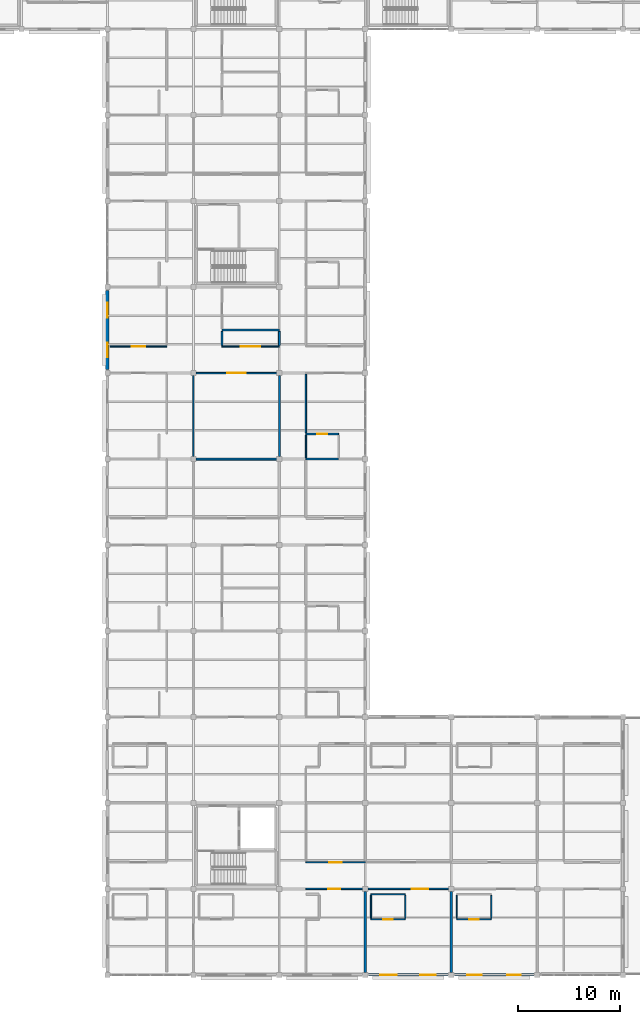
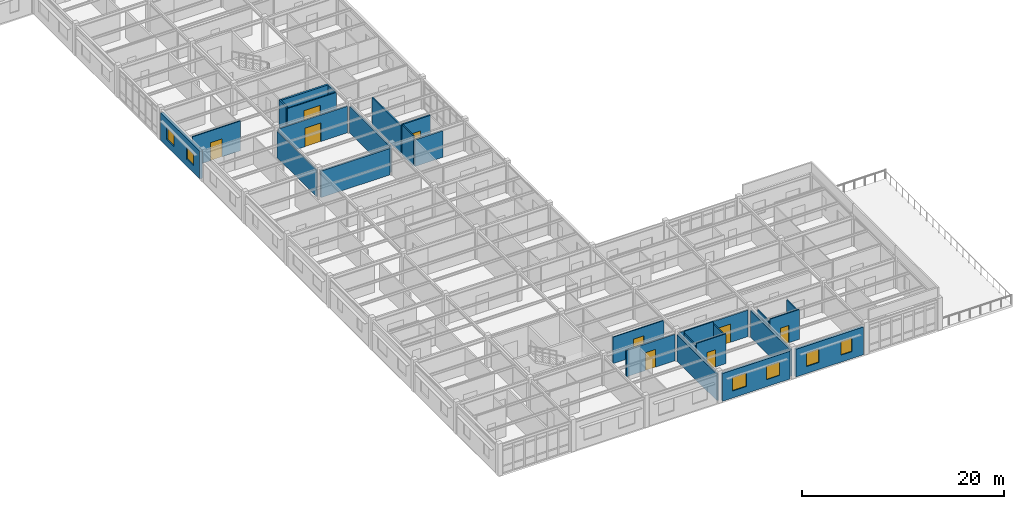
# One storey, part 35 of 53: 28 walls, 9 doors, 6 windows, 15 openings.
"""IFC4 building model written with IfcOpenShell, lengths in metres."""

import ifcopenshell
import ifcopenshell.guid

model = None  # the IFC model being written
_history = None  # IfcOwnerHistory: only IFC2X3 demands one
_inside = {}  # id of a spatial element -> (the spatial element, [elements in it])
_under = {}  # id of a project, library or spatial element -> (it, [spatial elements below it])
_declared = {}  # id of a project -> (the project, [libraries it declares])
_typed = {}  # id of a type object -> (the type object, [elements of that type])
_made_of = {}  # id of a material, layer set ... -> (it, [elements and type objects made of it])


def new_model(schema):
    """Start an empty IFC model of exactly this schema.

    Asked for "IFC4X3", IfcOpenShell would pick the latest addendum, in which some entities
    have other attributes; the version numbers below select the first issue.
    IFC2X3 requires an IfcOwnerHistory on every rooted entity: one is made here for all.
    """
    global model, _history
    if schema == "IFC4X3":
        model = ifcopenshell.file(schema_version=(4, 3, 0, 0))
    else:
        model = ifcopenshell.file(schema=schema)
    _inside.clear()
    _under.clear()
    _declared.clear()
    _typed.clear()
    _made_of.clear()
    _history = None
    if model.schema == "IFC2X3":
        org = make("IfcOrganization", Name="unknown")
        user = make(
            "IfcPersonAndOrganization",
            ThePerson=make("IfcPerson", FamilyName="unknown"),
            TheOrganization=org,
        )
        app = make(
            "IfcApplication",
            ApplicationDeveloper=org,
            Version="unknown",
            ApplicationFullName="unknown",
            ApplicationIdentifier="unknown",
        )
        _history = make(
            "IfcOwnerHistory",
            OwningUser=user,
            OwningApplication=app,
            ChangeAction="ADDED",
            CreationDate=0,
        )
    return model


def make(cls, **values):
    """One entity of the class cls with the attributes given. An attribute that is None is left unset."""
    return model.create_entity(
        cls, **{name: value for name, value in values.items() if value is not None}
    )


def rooted(cls, **values):
    """An entity with a GlobalId (a new one), such as an element, a storey or a relation."""
    return make(cls, GlobalId=ifcopenshell.guid.new(), OwnerHistory=_history, **values)


def si_unit(unit_type, name, prefix=None):
    """IfcSIUnit, for example si_unit("LENGTHUNIT", "METRE", prefix="MILLI")."""
    return make("IfcSIUnit", UnitType=unit_type, Prefix=prefix, Name=name)


def assignment(units):
    """IfcUnitAssignment: the units of a project."""
    return None if units is None else make("IfcUnitAssignment", Units=units)


def point(xyz):
    """IfcCartesianPoint."""
    return None if xyz is None else make("IfcCartesianPoint", Coordinates=xyz)


def direction(xyz):
    """IfcDirection."""
    return None if xyz is None else make("IfcDirection", DirectionRatios=xyz)


def frame(location, z_axis=None, x_axis=None):
    """IfcAxis2Placement3D, a coordinate frame: its origin and axes. An axis left out is left unset."""
    return make(
        "IfcAxis2Placement3D",
        Location=point(location),
        Axis=direction(z_axis),
        RefDirection=direction(x_axis),
    )


def frame_2d(location, x_axis=None):
    """IfcAxis2Placement2D, a coordinate frame in the plane: its origin and x axis."""
    return make(
        "IfcAxis2Placement2D", Location=point(location), RefDirection=direction(x_axis)
    )


def origin():
    """The frame at (0, 0, 0) with its axes left unset."""
    return frame((0.0, 0.0, 0.0))


def place(relative_to, where):
    """IfcLocalPlacement: puts the frame where relative to a parent placement (None: the world)."""
    return make(
        "IfcLocalPlacement", PlacementRelTo=relative_to, RelativePlacement=where
    )


def context(
    kind, dimensions, precision=None, world=None, true_north=None, identifier=None
):
    """IfcGeometricRepresentationContext, for example the 3D "Model" context."""
    return make(
        "IfcGeometricRepresentationContext",
        ContextIdentifier=identifier,
        ContextType=kind,
        CoordinateSpaceDimension=dimensions,
        Precision=precision,
        WorldCoordinateSystem=world,
        TrueNorth=true_north,
    )


def subcontext(parent, identifier, kind, view, scale=None):
    """IfcGeometricRepresentationSubContext, for example "Body" below "Model"."""
    return make(
        "IfcGeometricRepresentationSubContext",
        ContextIdentifier=identifier,
        ContextType=kind,
        ParentContext=parent,
        TargetScale=scale,
        TargetView=view,
    )


def project(units=None, contexts=None):
    """IfcProject with its units and contexts."""
    return rooted(
        "IfcProject",
        Name="project",
        RepresentationContexts=contexts,
        UnitsInContext=assignment(units),
    )


def spatial(cls, under=None, at=None, **own):
    """A site, building, storey or space (cls), placed at a placement, below another one or the project."""
    s = rooted(cls, ObjectPlacement=at, **own)
    if under is not None:
        _under.setdefault(under.id(), (under, []))[1].append(s)
    return s


def profile(cls, at=None, kind="AREA", **sizes):
    """A parametric profile (cls). Its sizes go by their IFC names, for example OverallWidth=200.0."""
    return make(cls, ProfileType=kind, Position=at, **sizes)


def rectangle(**sizes):
    """IfcRectangleProfileDef."""
    return profile("IfcRectangleProfileDef", **sizes)


def extrude(swept, where, along, depth):
    """IfcExtrudedAreaSolid: the profile swept, set in the frame where, extruded along a direction by depth."""
    return make(
        "IfcExtrudedAreaSolid",
        SweptArea=swept,
        Position=where,
        ExtrudedDirection=direction(along),
        Depth=depth,
    )


def shape(context_of_items, identifier, shape_type, items):
    """IfcShapeRepresentation: the items that make up one representation, for example the "Body"."""
    return make(
        "IfcShapeRepresentation",
        ContextOfItems=context_of_items,
        RepresentationIdentifier=identifier,
        RepresentationType=shape_type,
        Items=items,
    )


def material(Name=None, Category=None):
    """IfcMaterial."""
    return make("IfcMaterial", Name=Name, Category=Category)


def layer(
    of_material, thickness, ventilated=None, Name=None, Category=None, Priority=None
):
    """IfcMaterialLayer: one layer of a wall or slab, of a material (None: an air gap)."""
    return make(
        "IfcMaterialLayer",
        Material=of_material,
        LayerThickness=thickness,
        IsVentilated=ventilated,
        Name=Name,
        Category=Category,
        Priority=Priority,
    )


def layer_set(layers, Name=None):
    """IfcMaterialLayerSet."""
    return make("IfcMaterialLayerSet", MaterialLayers=layers, LayerSetName=Name)


def made_of(thing, what):
    """Note that an element or type object is made of a material, layer set ...; save() writes the relation."""
    if what is not None:
        _made_of.setdefault(what.id(), (what, []))[1].append(thing)
    return thing


def type_object(cls, material=None, **own):
    """A type object (cls), such as IfcWallType, which elements share."""
    return made_of(rooted(cls, **own), material)


def element(
    cls,
    number,
    at=None,
    inside=None,
    cuts=None,
    type_object=None,
    material=None,
    context=None,
    identifier="Body",
    shape_type=None,
    held_by="IfcProductDefinitionShape",
    body=None,
    shapes=None,
    **own,
):
    """One element of the class cls, such as IfcWall. Its Tag is "e" and its number.

    at: its placement. inside: the storey or other place that contains it. cuts: it is an
    opening in that element (IfcRelVoidsElement). A single representation is given by context,
    identifier, shape_type and body (its items); several are given by shapes. held_by: the class
    of the entity that holds the representations. save() writes the other relations.
    """
    e = rooted(cls, Tag="e%d" % number, ObjectPlacement=at, **own)
    if body is not None:
        shapes = [shape(context, identifier, shape_type, body)]
    if shapes is not None:
        e.Representation = make(held_by, Representations=shapes)
    if inside is not None:
        _inside.setdefault(inside.id(), (inside, []))[1].append(e)
    if cuts is not None:
        rooted(
            "IfcRelVoidsElement", RelatingBuildingElement=cuts, RelatedOpeningElement=e
        )
    if type_object is not None:
        _typed.setdefault(type_object.id(), (type_object, []))[1].append(e)
    return made_of(e, material)


def fill(opening, filler):
    """IfcRelFillsElement: the door or window that sits in an opening."""
    return rooted(
        "IfcRelFillsElement",
        RelatingOpeningElement=opening,
        RelatedBuildingElement=filler,
    )


def aggregate(whole, parts):
    """IfcRelAggregates: a whole, such as a stair, and the parts it consists of."""
    return rooted("IfcRelAggregates", RelatingObject=whole, RelatedObjects=parts)


def save(model, path):
    """Write the relations noted so far, then the file.

    IfcRelAggregates (storeys below a building ...), IfcRelContainedInSpatialStructure (elements
    in a storey), IfcRelDefinesByType, IfcRelAssociatesMaterial and IfcRelDeclares: one each for
    every whole, place, type object, material and project.
    """
    for whole, parts in _under.values():
        aggregate(whole, parts)
    for where, things in _inside.values():
        rooted(
            "IfcRelContainedInSpatialStructure",
            RelatedElements=things,
            RelatingStructure=where,
        )
    for kind, things in _typed.values():
        rooted("IfcRelDefinesByType", RelatedObjects=things, RelatingType=kind)
    for what, things in _made_of.values():
        rooted("IfcRelAssociatesMaterial", RelatedObjects=things, RelatingMaterial=what)
    for by, libraries in _declared.values():
        rooted("IfcRelDeclares", RelatingContext=by, RelatedDefinitions=libraries)
    model.write(path)


model = new_model("IFC4")

# Units and contexts
model_context = context("Model", 3, precision=1e-05, world=origin(), true_north=direction((0.0, 1.0)))
body_context = subcontext(model_context, "Body", "Model", "MODEL_VIEW")
ifc_project = project(units=[si_unit("LENGTHUNIT", "METRE"), si_unit("AREAUNIT", "SQUARE_METRE"), si_unit("VOLUMEUNIT", "CUBIC_METRE"), si_unit("PLANEANGLEUNIT", "RADIAN"), si_unit("MASSUNIT", "GRAM", prefix="KILO")], contexts=[model_context])

# Site, building, storey
site_placement = place(None, origin())
site = spatial("IfcSite", under=ifc_project, at=site_placement, CompositionType="ELEMENT")
building_placement = place(site_placement, origin())
building = spatial("IfcBuilding", under=site, at=building_placement, Name="Bramfleet General Hospital", CompositionType="ELEMENT")
storey_placement = place(building_placement, frame((0.0, 0.0, 26.39990234375)))
storey = spatial("IfcBuildingStorey", under=building, at=storey_placement, Name="L06", CompositionType="ELEMENT", Elevation=26.39990234375)

# Wall, openings, windows
ifc_material_1 = material(Name="Precast concrete C40/50", Category="concrete")
ifc_layer_1 = layer(ifc_material_1, 0.3349609375, Name="WT-EW-03")
ifc_layer_set_1 = layer_set([ifc_layer_1], Name="Precast concrete C40/50")
wall_type_1 = type_object("IfcWallType", Name="WT-EW-03", PredefinedType="SOLIDWALL", material=ifc_layer_set_1)
wall_1_placement = place(storey_placement, frame((92.39990234375, 59.125, 0.0), z_axis=(0.0, 0.0, 1.0), x_axis=(0.0, 1.0, 0.0)))
wall_1 = element("IfcWall", 1, at=wall_1_placement, inside=storey, type_object=wall_type_1, Name="L06 Exterior Wall 386", PredefinedType="SOLIDWALL", context=body_context, shape_type="SweptSolid", body=[
    extrude(rectangle(XDim=7.75, YDim=0.3349609375, at=frame_2d((3.875, 0.0))), origin(), (0.0, 0.0, 1.0), 3.340087890625),
])
opening_1_placement = place(wall_1_placement, frame((1.237548828125, 0.0, 0.85009765625)))
opening_1 = element("IfcOpeningElement", 2, at=opening_1_placement, cuts=wall_1, Name="Opening W-15", PredefinedType="OPENING", context=body_context, shape_type="SweptSolid", body=[
    extrude(rectangle(XDim=1.39990234375, YDim=1.419921875, at=frame_2d((0.699951171875, 0.7099609375))), frame((0.0, 0.177490234375, 0.0), z_axis=(0.0, -1.0, 0.0), x_axis=(1.0, 0.0, 0.0)), (0.0, 0.0, 1.0), 0.35498046875),
])
opening_2_placement = place(wall_1_placement, frame((5.0625, 0.0, 0.85009765625)))
opening_2 = element("IfcOpeningElement", 3, at=opening_2_placement, cuts=wall_1, Name="Opening W-16", PredefinedType="OPENING", context=body_context, shape_type="SweptSolid", body=[
    extrude(rectangle(XDim=1.5, YDim=1.419921875, at=frame_2d((0.75, 0.7099609375))), frame((0.0, 0.177490234375, 0.0), z_axis=(0.0, -1.0, 0.0), x_axis=(1.0, 0.0, 0.0)), (0.0, 0.0, 1.0), 0.35498046875),
])
ifc_material_2 = material(Name="Anodised aluminium and low-E triple glazing", Category="aluminium")
window_type_1 = type_object("IfcWindowType", Name="WIN-W-15", PartitioningType="SINGLE_PANEL", PredefinedType="WINDOW", material=ifc_material_2)
window_1_placement = place(opening_1_placement, origin())
window_1 = element("IfcWindow", 4, at=window_1_placement, inside=storey, type_object=window_type_1, Name="L06 Facade Window WIN-L06-386-1", OverallHeight=1.419921875, OverallWidth=1.39990234375, PartitioningType="SINGLE_PANEL", PredefinedType="WINDOW", context=body_context, shape_type="SweptSolid", body=[
    extrude(rectangle(XDim=1.39990234375, YDim=1.419921875, at=frame_2d((0.699951171875, 0.7099609375))), frame((0.0, 0.030029296875, 0.0), z_axis=(0.0, -1.0, 0.0), x_axis=(1.0, 0.0, 0.0)), (0.0, 0.0, 1.0), 0.06005859375),
])
fill(opening_1, window_1)
window_type_2 = type_object("IfcWindowType", Name="WIN-W-16", PartitioningType="SINGLE_PANEL", PredefinedType="WINDOW", material=ifc_material_2)
window_2_placement = place(opening_2_placement, origin())
window_2 = element("IfcWindow", 5, at=window_2_placement, inside=storey, type_object=window_type_2, Name="L06 Facade Window WIN-L06-386-2", OverallHeight=1.419921875, OverallWidth=1.5, PartitioningType="SINGLE_PANEL", PredefinedType="WINDOW", context=body_context, shape_type="SweptSolid", body=[
    extrude(rectangle(XDim=1.5, YDim=1.419921875, at=frame_2d((0.75, 0.7099609375))), frame((0.0, 0.030029296875, 0.0), z_axis=(0.0, -1.0, 0.0), x_axis=(1.0, 0.0, 0.0)), (0.0, 0.0, 1.0), 0.06005859375),
])
fill(opening_2, window_2)

ifc_layer_2 = layer(ifc_material_1, 0.25, Name="WT-EW-08")
ifc_layer_set_2 = layer_set([ifc_layer_2], Name="Precast concrete C40/50")
wall_type_2 = type_object("IfcWallType", Name="WT-EW-08", PredefinedType="SOLIDWALL", material=ifc_layer_set_2)
wall_2_placement = place(storey_placement, frame((134.074951171875, 0.0, 0.0), z_axis=(0.0, 0.0, 1.0), x_axis=(-1.0, 0.0, 0.0)))
wall_2 = element("IfcWall", 6, at=wall_2_placement, inside=storey, type_object=wall_type_2, Name="L06 Exterior Wall 419", PredefinedType="SOLIDWALL", context=body_context, shape_type="SweptSolid", body=[
    extrude(rectangle(XDim=7.75, YDim=0.25, at=frame_2d((3.875, 0.0))), origin(), (0.0, 0.0, 1.0), 3.360107421875),
])
opening_3_placement = place(wall_2_placement, frame((1.28759765625, 0.0, 0.85009765625)))
opening_3 = element("IfcOpeningElement", 7, at=opening_3_placement, cuts=wall_2, Name="Opening W-33", PredefinedType="OPENING", context=body_context, shape_type="SweptSolid", body=[
    extrude(rectangle(XDim=1.300048828125, YDim=1.659912109375, at=frame_2d((0.64990234375, 0.830078125))), frame((0.0, 0.135009765625, 0.0), z_axis=(0.0, -1.0, 0.0), x_axis=(1.0, 0.0, 0.0)), (0.0, 0.0, 1.0), 0.27001953125),
])
opening_4_placement = place(wall_2_placement, frame((5.112548828125, 0.0, 0.85009765625)))
opening_4 = element("IfcOpeningElement", 8, at=opening_4_placement, cuts=wall_2, Name="Opening W-34", PredefinedType="OPENING", context=body_context, shape_type="SweptSolid", body=[
    extrude(rectangle(XDim=1.39990234375, YDim=1.659912109375, at=frame_2d((0.699951171875, 0.830078125))), frame((0.0, 0.135009765625, 0.0), z_axis=(0.0, -1.0, 0.0), x_axis=(1.0, 0.0, 0.0)), (0.0, 0.0, 1.0), 0.27001953125),
])
window_type_3 = type_object("IfcWindowType", Name="WIN-W-33", PartitioningType="SINGLE_PANEL", PredefinedType="WINDOW", material=ifc_material_2)
window_3_placement = place(opening_3_placement, origin())
window_3 = element("IfcWindow", 9, at=window_3_placement, inside=storey, type_object=window_type_3, Name="L06 Facade Window WIN-L06-419-1", OverallHeight=1.659912109375, OverallWidth=1.300048828125, PartitioningType="SINGLE_PANEL", PredefinedType="WINDOW", context=body_context, shape_type="SweptSolid", body=[
    extrude(rectangle(XDim=1.300048828125, YDim=1.659912109375, at=frame_2d((0.64990234375, 0.830078125))), frame((0.0, 0.030029296875, 0.0), z_axis=(0.0, -1.0, 0.0), x_axis=(1.0, 0.0, 0.0)), (0.0, 0.0, 1.0), 0.06005859375),
])
fill(opening_3, window_3)
window_type_4 = type_object("IfcWindowType", Name="WIN-W-34", PartitioningType="SINGLE_PANEL", PredefinedType="WINDOW", material=ifc_material_2)
window_4_placement = place(opening_4_placement, origin())
window_4 = element("IfcWindow", 10, at=window_4_placement, inside=storey, type_object=window_type_4, Name="L06 Facade Window WIN-L06-419-2", OverallHeight=1.659912109375, OverallWidth=1.39990234375, PartitioningType="SINGLE_PANEL", PredefinedType="WINDOW", context=body_context, shape_type="SweptSolid", body=[
    extrude(rectangle(XDim=1.39990234375, YDim=1.659912109375, at=frame_2d((0.699951171875, 0.830078125))), frame((0.0, 0.030029296875, 0.0), z_axis=(0.0, -1.0, 0.0), x_axis=(1.0, 0.0, 0.0)), (0.0, 0.0, 1.0), 0.06005859375),
])
fill(opening_4, window_4)

ifc_layer_3 = layer(ifc_material_1, 0.235107421875, Name="WT-EW-09")
ifc_layer_set_3 = layer_set([ifc_layer_3], Name="Precast concrete C40/50")
wall_type_3 = type_object("IfcWallType", Name="WT-EW-09", PredefinedType="SOLIDWALL", material=ifc_layer_set_3)
wall_3_placement = place(storey_placement, frame((125.675048828125, 0.0, 0.0), z_axis=(0.0, 0.0, 1.0), x_axis=(-1.0, 0.0, 0.0)))
wall_3 = element("IfcWall", 11, at=wall_3_placement, inside=storey, type_object=wall_type_3, Name="L06 Exterior Wall 420", PredefinedType="SOLIDWALL", context=body_context, shape_type="SweptSolid", body=[
    extrude(rectangle(XDim=7.75, YDim=0.235107421875, at=frame_2d((3.875, 0.0))), origin(), (0.0, 0.0, 1.0), 3.360107421875),
])
opening_5_placement = place(wall_3_placement, frame((1.1875, 0.0, 0.85009765625)))
opening_5 = element("IfcOpeningElement", 12, at=opening_5_placement, cuts=wall_3, Name="Opening W-35", PredefinedType="OPENING", context=body_context, shape_type="SweptSolid", body=[
    extrude(rectangle(XDim=1.5, YDim=1.659912109375, at=frame_2d((0.75, 0.830078125))), frame((0.0, 0.12744140625, 0.0), z_axis=(0.0, -1.0, 0.0), x_axis=(1.0, 0.0, 0.0)), (0.0, 0.0, 1.0), 0.255126953125),
])
opening_6_placement = place(wall_3_placement, frame((5.012451171875, 0.0, 0.85009765625)))
opening_6 = element("IfcOpeningElement", 13, at=opening_6_placement, cuts=wall_3, Name="Opening W-36", PredefinedType="OPENING", context=body_context, shape_type="SweptSolid", body=[
    extrude(rectangle(XDim=1.60009765625, YDim=1.659912109375, at=frame_2d((0.800048828125, 0.830078125))), frame((0.0, 0.12744140625, 0.0), z_axis=(0.0, -1.0, 0.0), x_axis=(1.0, 0.0, 0.0)), (0.0, 0.0, 1.0), 0.255126953125),
])
window_type_5 = type_object("IfcWindowType", Name="WIN-W-35", PartitioningType="SINGLE_PANEL", PredefinedType="WINDOW", material=ifc_material_2)
window_5_placement = place(opening_5_placement, origin())
window_5 = element("IfcWindow", 14, at=window_5_placement, inside=storey, type_object=window_type_5, Name="L06 Facade Window WIN-L06-420-1", OverallHeight=1.659912109375, OverallWidth=1.5, PartitioningType="SINGLE_PANEL", PredefinedType="WINDOW", context=body_context, shape_type="SweptSolid", body=[
    extrude(rectangle(XDim=1.5, YDim=1.659912109375, at=frame_2d((0.75, 0.830078125))), frame((0.0, 0.030029296875, 0.0), z_axis=(0.0, -1.0, 0.0), x_axis=(1.0, 0.0, 0.0)), (0.0, 0.0, 1.0), 0.06005859375),
])
fill(opening_5, window_5)
window_type_6 = type_object("IfcWindowType", Name="WIN-W-36", PartitioningType="SINGLE_PANEL", PredefinedType="WINDOW", material=ifc_material_2)
window_6_placement = place(opening_6_placement, origin())
window_6 = element("IfcWindow", 15, at=window_6_placement, inside=storey, type_object=window_type_6, Name="L06 Facade Window WIN-L06-420-2", OverallHeight=1.659912109375, OverallWidth=1.60009765625, PartitioningType="SINGLE_PANEL", PredefinedType="WINDOW", context=body_context, shape_type="SweptSolid", body=[
    extrude(rectangle(XDim=1.60009765625, YDim=1.659912109375, at=frame_2d((0.800048828125, 0.830078125))), frame((0.0, 0.030029296875, 0.0), z_axis=(0.0, -1.0, 0.0), x_axis=(1.0, 0.0, 0.0)), (0.0, 0.0, 1.0), 0.06005859375),
])
fill(opening_6, window_6)

# Walls
ifc_material_3 = material(Name="Concrete C35/45", Category="concrete")
ifc_layer_4 = layer(ifc_material_3, 0.219970703125, Name="WT-IW-01")
ifc_layer_set_4 = layer_set([ifc_layer_4], Name="Concrete C35/45")
wall_type_4 = type_object("IfcWallType", Name="WT-IW-01", PredefinedType="PARTITIONING", material=ifc_layer_set_4)
wall_4_placement = place(storey_placement, frame((103.60009765625, 63.0, 0.0), z_axis=(0.0, 0.0, 1.0), x_axis=(1.0, 0.0, 0.0)))
element("IfcWall", 16, at=wall_4_placement, inside=storey, type_object=wall_type_4, Name="L06 Interior Partition IW-L06-3901", PredefinedType="PARTITIONING", context=body_context, shape_type="SweptSolid", body=[
    extrude(rectangle(XDim=5.599853515625, YDim=0.219970703125, at=frame_2d((2.7998046875, 0.0))), origin(), (0.0, 0.0, 1.0), 3.210205078125),
])
wall_5_placement = place(storey_placement, frame((126.0, 0.2451171875, 0.0), z_axis=(0.0, 0.0, 1.0), x_axis=(0.0, 1.0, 0.0)))
element("IfcWall", 17, at=wall_5_placement, inside=storey, type_object=wall_type_4, Name="L06 Interior Partition IW-L06-4093", PredefinedType="PARTITIONING", context=body_context, shape_type="SweptSolid", body=[
    extrude(rectangle(XDim=7.909912109375, YDim=0.219970703125, at=frame_2d((3.955078125, 0.0))), origin(), (0.0, 0.0, 1.0), 3.210205078125),
])
ifc_layer_5 = layer(ifc_material_3, 0.205078125, Name="WT-IW-02")
ifc_layer_set_5 = layer_set([ifc_layer_5], Name="Concrete C35/45")
wall_type_5 = type_object("IfcWallType", Name="WT-IW-02", PredefinedType="PARTITIONING", material=ifc_layer_set_5)
for number, where, z_axis, x_axis, name in (
    (18, (109.199951171875, 50.64501953125, 0.0), (0.0, 0.0, 1.0), (0.0, 1.0, 0.0), "L06 Interior Partition IW-L06-4046"),
    (19, (117.60009765625, 0.2451171875, 0.0), (0.0, 0.0, 1.0), (0.0, 1.0, 0.0), "L06 Interior Partition IW-L06-4082"),
):
    element("IfcWall", number, at=place(storey_placement, frame(where, z_axis=z_axis, x_axis=x_axis)), inside=storey, type_object=wall_type_5, Name=name, PredefinedType="PARTITIONING", context=body_context, shape_type="SweptSolid", body=[
        extrude(rectangle(XDim=7.909912109375, YDim=0.205078125, at=frame_2d((3.955078125, 0.0))), origin(), (0.0, 0.0, 1.0), 3.210205078125),
    ])
ifc_layer_6 = layer(ifc_material_3, 0.18994140625, Name="WT-IW-03")
ifc_layer_set_6 = layer_set([ifc_layer_6], Name="Concrete C35/45")
wall_type_6 = type_object("IfcWallType", Name="WT-IW-03", PredefinedType="PARTITIONING", material=ifc_layer_set_6)
wall_6_placement = place(storey_placement, frame((101.044921875, 50.39990234375, 0.0), z_axis=(0.0, 0.0, 1.0), x_axis=(1.0, 0.0, 0.0)))
element("IfcWall", 20, at=wall_6_placement, inside=storey, type_object=wall_type_6, Name="L06 Interior Partition IW-L06-3891", PredefinedType="PARTITIONING", context=body_context, shape_type="SweptSolid", body=[
    extrude(rectangle(XDim=7.91015625, YDim=0.18994140625, at=frame_2d((3.955078125, 0.0))), origin(), (0.0, 0.0, 1.0), 3.210205078125),
])
wall_7_placement = place(storey_placement, frame((109.199951171875, 61.514892578125, 0.0), z_axis=(0.0, 0.0, 1.0), x_axis=(0.0, 1.0, 0.0)))
element("IfcWall", 21, at=wall_7_placement, inside=storey, type_object=wall_type_6, Name="L06 Interior Partition IW-L06-4047", PredefinedType="PARTITIONING", context=body_context, shape_type="SweptSolid", body=[
    extrude(rectangle(XDim=1.3701171875, YDim=0.18994140625, at=frame_2d((0.68505859375, 0.0))), origin(), (0.0, 0.0, 1.0), 3.210205078125),
])
ifc_layer_7 = layer(ifc_material_3, 0.179931640625, Name="WT-IW-04")
ifc_layer_set_7 = layer_set([ifc_layer_7], Name="Concrete C35/45")
wall_type_7 = type_object("IfcWallType", Name="WT-IW-04", PredefinedType="PARTITIONING", material=ifc_layer_set_7)
wall_8_placement = place(storey_placement, frame((111.800048828125, 50.39990234375, 0.0), z_axis=(0.0, 0.0, 1.0), x_axis=(1.0, 0.0, 0.0)))
element("IfcWall", 22, at=wall_8_placement, inside=storey, type_object=wall_type_7, Name="L06 Interior Partition IW-L06-3892", PredefinedType="PARTITIONING", context=body_context, shape_type="SweptSolid", body=[
    extrude(rectangle(XDim=3.199951171875, YDim=0.179931640625, at=frame_2d((1.60009765625, 0.0))), origin(), (0.0, 0.0, 1.0), 3.210205078125),
])
wall_9_placement = place(storey_placement, frame((103.60009765625, 61.514892578125, 0.0), z_axis=(0.0, 0.0, 1.0), x_axis=(0.0, 1.0, 0.0)))
element("IfcWall", 23, at=wall_9_placement, inside=storey, type_object=wall_type_7, Name="L06 Interior Partition IW-L06-4036", PredefinedType="PARTITIONING", context=body_context, shape_type="SweptSolid", body=[
    extrude(rectangle(XDim=1.3701171875, YDim=0.179931640625, at=frame_2d((0.68505859375, 0.0))), origin(), (0.0, 0.0, 1.0), 3.340087890625),
])

# Wall, opening, door
ifc_material_4 = material(Name="Gypsum plasterboard on acoustic steel studs", Category="steel")
ifc_layer_8 = layer(ifc_material_4, 0.159912109375, Name="WT-IW-06")
ifc_layer_set_8 = layer_set([ifc_layer_8], Name="Gypsum plasterboard on acoustic steel studs")
wall_type_8 = type_object("IfcWallType", Name="WT-IW-06", PredefinedType="PARTITIONING", material=ifc_layer_set_8)
wall_10_placement = place(storey_placement, frame((111.800048828125, 8.39990234375, 0.0), z_axis=(0.0, 0.0, 1.0), x_axis=(1.0, 0.0, 0.0)))
wall_10 = element("IfcWall", 24, at=wall_10_placement, inside=storey, type_object=wall_type_8, Name="L06 Interior Partition IW-L06-3846", PredefinedType="PARTITIONING", context=body_context, shape_type="SweptSolid", body=[
    extrude(rectangle(XDim=5.554931640625, YDim=0.159912109375, at=frame_2d((2.77734375, 0.0))), origin(), (0.0, 0.0, 1.0), 3.210205078125),
])
opening_7_placement = place(wall_10_placement, frame((2.202392578125, 0.0, 0.0)))
opening_7 = element("IfcOpeningElement", 25, at=opening_7_placement, cuts=wall_10, Name="Opening D1484", PredefinedType="OPENING", context=body_context, shape_type="SweptSolid", body=[
    extrude(rectangle(XDim=1.14990234375, YDim=2.14990234375, at=frame_2d((0.574951171875, 1.074951171875))), frame((0.0, 0.08984375, 0.0), z_axis=(0.0, -1.0, 0.0), x_axis=(1.0, 0.0, 0.0)), (0.0, 0.0, 1.0), 0.179931640625),
])
ifc_material_5 = material(Name="Stainless steel and acoustic timber leaf", Category="steel")
door_type_1 = type_object("IfcDoorType", Name="DR-D-12", OperationType="NOTDEFINED", PredefinedType="DOOR", material=ifc_material_5)
door_1_placement = place(opening_7_placement, origin())
door_1 = element("IfcDoor", 26, at=door_1_placement, inside=storey, type_object=door_type_1, Name="Oncology and Neurology Ward Bedroom L06-1300 Door D1484", OperationType="SINGLE_SWING_LEFT", OverallHeight=2.14990234375, OverallWidth=1.14990234375, PredefinedType="DOOR", context=body_context, shape_type="SweptSolid", body=[
    extrude(rectangle(XDim=1.14990234375, YDim=2.14990234375, at=frame_2d((0.574951171875, 1.074951171875))), frame((0.0, 0.02490234375, 0.0), z_axis=(0.0, -1.0, 0.0), x_axis=(1.0, 0.0, 0.0)), (0.0, 0.0, 1.0), 0.050048828125),
])
fill(opening_7, door_1)

wall_11_placement = place(storey_placement, frame((111.800048828125, 52.85009765625, 0.0), z_axis=(0.0, 0.0, 1.0), x_axis=(1.0, 0.0, 0.0)))
wall_11 = element("IfcWall", 27, at=wall_11_placement, inside=storey, type_object=wall_type_8, Name="L06 Interior Partition IW-L06-3894", PredefinedType="PARTITIONING", context=body_context, shape_type="SweptSolid", body=[
    extrude(rectangle(XDim=3.199951171875, YDim=0.159912109375, at=frame_2d((1.60009765625, 0.0))), origin(), (0.0, 0.0, 1.0), 3.610107421875),
])
opening_8_placement = place(wall_11_placement, frame((1.125, 0.0, 0.0)))
opening_8 = element("IfcOpeningElement", 28, at=opening_8_placement, cuts=wall_11, Name="Opening D1493", PredefinedType="OPENING", context=body_context, shape_type="SweptSolid", body=[
    extrude(rectangle(XDim=0.949951171875, YDim=2.10009765625, at=frame_2d((0.47509765625, 1.050048828125))), frame((0.0, 0.08984375, 0.0), z_axis=(0.0, -1.0, 0.0), x_axis=(1.0, 0.0, 0.0)), (0.0, 0.0, 1.0), 0.179931640625),
])
door_type_2 = type_object("IfcDoorType", Name="DR-D-10", OperationType="NOTDEFINED", PredefinedType="DOOR", material=ifc_material_5)
door_2_placement = place(opening_8_placement, origin())
door_2 = element("IfcDoor", 29, at=door_2_placement, inside=storey, type_object=door_type_2, Name="En-Suite Bathroom L06-1306 Door D1493", OperationType="SINGLE_SWING_LEFT", OverallHeight=2.10009765625, OverallWidth=0.949951171875, PredefinedType="DOOR", context=body_context, shape_type="SweptSolid", body=[
    extrude(rectangle(XDim=0.949951171875, YDim=2.10009765625, at=frame_2d((0.47509765625, 1.050048828125))), frame((0.0, 0.02490234375, 0.0), z_axis=(0.0, -1.0, 0.0), x_axis=(1.0, 0.0, 0.0)), (0.0, 0.0, 1.0), 0.050048828125),
])
fill(opening_8, door_2)

# Wall
wall_12_placement = place(storey_placement, frame((111.800048828125, 52.965087890625, 0.0), z_axis=(0.0, 0.0, 1.0), x_axis=(0.0, 1.0, 0.0)))
element("IfcWall", 30, at=wall_12_placement, inside=storey, type_object=wall_type_8, Name="L06 Interior Partition IW-L06-4062", PredefinedType="PARTITIONING", context=body_context, shape_type="SweptSolid", body=[
    extrude(rectangle(XDim=5.719970703125, YDim=0.159912109375, at=frame_2d((2.85986328125, 0.0))), origin(), (0.0, 0.0, 1.0), 3.340087890625),
])

# Wall, opening, door
ifc_layer_9 = layer(ifc_material_4, 0.14990234375, Name="WT-IW-07")
ifc_layer_set_9 = layer_set([ifc_layer_9], Name="Gypsum plasterboard on acoustic steel studs")
wall_type_9 = type_object("IfcWallType", Name="WT-IW-07", PredefinedType="PARTITIONING", material=ifc_layer_set_9)
wall_13_placement = place(storey_placement, frame((117.844970703125, 8.39990234375, 0.0), z_axis=(0.0, 0.0, 1.0), x_axis=(1.0, 0.0, 0.0)))
wall_13 = element("IfcWall", 31, at=wall_13_placement, inside=storey, type_object=wall_type_9, Name="L06 Interior Partition IW-L06-3847", PredefinedType="PARTITIONING", context=body_context, shape_type="SweptSolid", body=[
    extrude(rectangle(XDim=7.909912109375, YDim=0.14990234375, at=frame_2d((3.955078125, 0.0))), origin(), (0.0, 0.0, 1.0), 3.210205078125),
])
opening_9_placement = place(wall_13_placement, frame((4.3154296875, 0.0, 0.0)))
opening_9 = element("IfcOpeningElement", 32, at=opening_9_placement, cuts=wall_13, Name="Opening D1504", PredefinedType="OPENING", context=body_context, shape_type="SweptSolid", body=[
    extrude(rectangle(XDim=1.580078125, YDim=2.219970703125, at=frame_2d((0.7900390625, 1.10986328125))), frame((0.0, 0.0849609375, 0.0), z_axis=(0.0, -1.0, 0.0), x_axis=(1.0, 0.0, 0.0)), (0.0, 0.0, 1.0), 0.169921875),
])
door_type_3 = type_object("IfcDoorType", Name="DR-D-32", OperationType="NOTDEFINED", PredefinedType="DOOR", material=ifc_material_5)
door_3_placement = place(opening_9_placement, origin())
door_3 = element("IfcDoor", 33, at=door_3_placement, inside=storey, type_object=door_type_3, Name="Oncology and Neurology Ward Bedroom L06-1400 Door D1504", OperationType="DOUBLE_SWING_LEFT", OverallHeight=2.219970703125, OverallWidth=1.580078125, PredefinedType="DOOR", context=body_context, shape_type="SweptSolid", body=[
    extrude(rectangle(XDim=1.580078125, YDim=2.219970703125, at=frame_2d((0.7900390625, 1.10986328125))), frame((0.0, 0.02490234375, 0.0), z_axis=(0.0, -1.0, 0.0), x_axis=(1.0, 0.0, 0.0)), (0.0, 0.0, 1.0), 0.050048828125),
])
fill(opening_9, door_3)

ifc_layer_10 = layer(ifc_material_4, 0.139892578125, Name="WT-IW-08")
ifc_layer_set_10 = layer_set([ifc_layer_10], Name="Gypsum plasterboard on acoustic steel studs")
wall_type_10 = type_object("IfcWallType", Name="WT-IW-08", PredefinedType="PARTITIONING", material=ifc_layer_set_10)
wall_14_placement = place(storey_placement, frame((101.044921875, 58.800048828125, 0.0), z_axis=(0.0, 0.0, 1.0), x_axis=(1.0, 0.0, 0.0)))
wall_14 = element("IfcWall", 34, at=wall_14_placement, inside=storey, type_object=wall_type_10, Name="L06 Interior Partition IW-L06-3896", PredefinedType="PARTITIONING", context=body_context, shape_type="SweptSolid", body=[
    extrude(rectangle(XDim=7.91015625, YDim=0.139892578125, at=frame_2d((3.955078125, 0.0))), origin(), (0.0, 0.0, 1.0), 3.210205078125),
])
opening_10_placement = place(wall_14_placement, frame((3.054931640625, 0.0, 0.0)))
opening_10 = element("IfcOpeningElement", 35, at=opening_10_placement, cuts=wall_14, Name="Opening D1477", PredefinedType="OPENING", context=body_context, shape_type="SweptSolid", body=[
    extrude(rectangle(XDim=1.800048828125, YDim=2.25, at=frame_2d((0.89990234375, 1.125))), frame((0.0, 0.079833984375, 0.0), z_axis=(0.0, -1.0, 0.0), x_axis=(1.0, 0.0, 0.0)), (0.0, 0.0, 1.0), 0.159912109375),
])
door_type_4 = type_object("IfcDoorType", Name="DR-D-05", OperationType="NOTDEFINED", PredefinedType="DOOR", material=ifc_material_5)
door_4_placement = place(opening_10_placement, origin())
door_4 = element("IfcDoor", 36, at=door_4_placement, inside=storey, type_object=door_type_4, Name="Oncology and Neurology Ward Nurse Station L06-1206 Door D1477", OperationType="DOUBLE_SWING_RIGHT", OverallHeight=2.25, OverallWidth=1.800048828125, PredefinedType="DOOR", context=body_context, shape_type="SweptSolid", body=[
    extrude(rectangle(XDim=1.800048828125, YDim=2.25, at=frame_2d((0.89990234375, 1.125))), frame((0.0, 0.02490234375, 0.0), z_axis=(0.0, -1.0, 0.0), x_axis=(1.0, 0.0, 0.0)), (0.0, 0.0, 1.0), 0.050048828125),
])
fill(opening_10, door_4)

ifc_layer_11 = layer(ifc_material_4, 0.1201171875, Name="WT-IW-10")
ifc_layer_set_11 = layer_set([ifc_layer_11], Name="Gypsum plasterboard on acoustic steel studs")
wall_type_11 = type_object("IfcWallType", Name="WT-IW-10", PredefinedType="PARTITIONING", material=ifc_layer_set_11)
wall_15_placement = place(storey_placement, frame((118.14990234375, 5.429931640625, 0.0), z_axis=(0.0, 0.0, 1.0), x_axis=(1.0, 0.0, 0.0)))
wall_15 = element("IfcWall", 37, at=wall_15_placement, inside=storey, type_object=wall_type_11, Name="L06 Interior Partition IW-L06-3837", PredefinedType="PARTITIONING", context=body_context, shape_type="SweptSolid", body=[
    extrude(rectangle(XDim=3.35009765625, YDim=0.1201171875, at=frame_2d((1.675048828125, 0.0))), origin(), (0.0, 0.0, 1.0), 3.610107421875),
])
opening_11_placement = place(wall_15_placement, frame((1.199951171875, 0.0, 0.0)))
opening_11 = element("IfcOpeningElement", 38, at=opening_11_placement, cuts=wall_15, Name="Opening D1505", PredefinedType="OPENING", context=body_context, shape_type="SweptSolid", body=[
    extrude(rectangle(XDim=0.949951171875, YDim=2.10009765625, at=frame_2d((0.47509765625, 1.050048828125))), frame((0.0, 0.070068359375, 0.0), z_axis=(0.0, -1.0, 0.0), x_axis=(1.0, 0.0, 0.0)), (0.0, 0.0, 1.0), 0.14013671875),
])
door_5_placement = place(opening_11_placement, origin())
door_5 = element("IfcDoor", 39, at=door_5_placement, inside=storey, type_object=door_type_2, Name="En-Suite Bathroom L06-1400 Door D1505", OperationType="SINGLE_SWING_LEFT", OverallHeight=2.10009765625, OverallWidth=0.949951171875, PredefinedType="DOOR", context=body_context, shape_type="SweptSolid", body=[
    extrude(rectangle(XDim=0.949951171875, YDim=2.10009765625, at=frame_2d((0.47509765625, 1.050048828125))), frame((0.0, 0.02490234375, 0.0), z_axis=(0.0, -1.0, 0.0), x_axis=(1.0, 0.0, 0.0)), (0.0, 0.0, 1.0), 0.050048828125),
])
fill(opening_11, door_5)

wall_16_placement = place(storey_placement, frame((126.550048828125, 5.429931640625, 0.0), z_axis=(0.0, 0.0, 1.0), x_axis=(1.0, 0.0, 0.0)))
wall_16 = element("IfcWall", 40, at=wall_16_placement, inside=storey, type_object=wall_type_11, Name="L06 Interior Partition IW-L06-3838", PredefinedType="PARTITIONING", context=body_context, shape_type="SweptSolid", body=[
    extrude(rectangle(XDim=3.349853515625, YDim=0.1201171875, at=frame_2d((1.6748046875, 0.0))), origin(), (0.0, 0.0, 1.0), 3.610107421875),
])
opening_12_placement = place(wall_16_placement, frame((1.199951171875, 0.0, 0.0)))
opening_12 = element("IfcOpeningElement", 41, at=opening_12_placement, cuts=wall_16, Name="Opening D1512", PredefinedType="OPENING", context=body_context, shape_type="SweptSolid", body=[
    extrude(rectangle(XDim=0.949951171875, YDim=2.10009765625, at=frame_2d((0.47509765625, 1.050048828125))), frame((0.0, 0.070068359375, 0.0), z_axis=(0.0, -1.0, 0.0), x_axis=(1.0, 0.0, 0.0)), (0.0, 0.0, 1.0), 0.14013671875),
])
door_6_placement = place(opening_12_placement, origin())
door_6 = element("IfcDoor", 42, at=door_6_placement, inside=storey, type_object=door_type_2, Name="En-Suite Bathroom L06-1500 Door D1512", OperationType="SINGLE_SWING_LEFT", OverallHeight=2.10009765625, OverallWidth=0.949951171875, PredefinedType="DOOR", context=body_context, shape_type="SweptSolid", body=[
    extrude(rectangle(XDim=0.949951171875, YDim=2.10009765625, at=frame_2d((0.47509765625, 1.050048828125))), frame((0.0, 0.02490234375, 0.0), z_axis=(0.0, -1.0, 0.0), x_axis=(1.0, 0.0, 0.0)), (0.0, 0.0, 1.0), 0.050048828125),
])
fill(opening_12, door_6)

# Wall
wall_17_placement = place(storey_placement, frame((118.14990234375, 7.8798828125, 0.0), z_axis=(0.0, 0.0, 1.0), x_axis=(1.0, 0.0, 0.0)))
element("IfcWall", 43, at=wall_17_placement, inside=storey, type_object=wall_type_11, Name="L06 Interior Partition IW-L06-3842", PredefinedType="PARTITIONING", context=body_context, shape_type="SweptSolid", body=[
    extrude(rectangle(XDim=3.35009765625, YDim=0.1201171875, at=frame_2d((1.675048828125, 0.0))), origin(), (0.0, 0.0, 1.0), 3.610107421875),
])

# Wall, opening, door
wall_18_placement = place(storey_placement, frame((92.679931640625, 61.39990234375, 0.0), z_axis=(0.0, 0.0, 1.0), x_axis=(1.0, 0.0, 0.0)))
wall_18 = element("IfcWall", 44, at=wall_18_placement, inside=storey, type_object=wall_type_11, Name="L06 Interior Partition IW-L06-3898", PredefinedType="PARTITIONING", context=body_context, shape_type="SweptSolid", body=[
    extrude(rectangle(XDim=5.52001953125, YDim=0.1201171875, at=frame_2d((2.760009765625, 0.0))), origin(), (0.0, 0.0, 1.0), 3.610107421875),
])
opening_13_placement = place(wall_18_placement, frame((2.10009765625, 0.0, 0.0)))
opening_13 = element("IfcOpeningElement", 45, at=opening_13_placement, cuts=wall_18, Name="Opening D1464", PredefinedType="OPENING", context=body_context, shape_type="SweptSolid", body=[
    extrude(rectangle(XDim=1.320068359375, YDim=2.179931640625, at=frame_2d((0.66015625, 1.08984375))), frame((0.0, 0.070068359375, 0.0), z_axis=(0.0, -1.0, 0.0), x_axis=(1.0, 0.0, 0.0)), (0.0, 0.0, 1.0), 0.14013671875),
])
door_type_5 = type_object("IfcDoorType", Name="DR-D-24", OperationType="NOTDEFINED", PredefinedType="DOOR", material=ifc_material_5)
door_7_placement = place(opening_13_placement, origin())
door_7 = element("IfcDoor", 46, at=door_7_placement, inside=storey, type_object=door_type_5, Name="Oncology and Neurology Ward Bedroom L06-1107 Door D1464", OperationType="SINGLE_SWING_LEFT", OverallHeight=2.179931640625, OverallWidth=1.320068359375, PredefinedType="DOOR", context=body_context, shape_type="SweptSolid", body=[
    extrude(rectangle(XDim=1.320068359375, YDim=2.179931640625, at=frame_2d((0.66015625, 1.08984375))), frame((0.0, 0.02490234375, 0.0), z_axis=(0.0, -1.0, 0.0), x_axis=(1.0, 0.0, 0.0)), (0.0, 0.0, 1.0), 0.050048828125),
])
fill(opening_13, door_7)

# Walls
wall_19_placement = place(storey_placement, frame((100.800048828125, 50.64501953125, 0.0), z_axis=(0.0, 0.0, 1.0), x_axis=(0.0, 1.0, 0.0)))
element("IfcWall", 47, at=wall_19_placement, inside=storey, type_object=wall_type_11, Name="L06 Interior Partition IW-L06-4030", PredefinedType="PARTITIONING", context=body_context, shape_type="SweptSolid", body=[
    extrude(rectangle(XDim=7.909912109375, YDim=0.1201171875, at=frame_2d((3.955078125, 0.0))), origin(), (0.0, 0.0, 1.0), 3.210205078125),
])
wall_20_placement = place(storey_placement, frame((111.800048828125, 50.514892578125, 0.0), z_axis=(0.0, 0.0, 1.0), x_axis=(0.0, 1.0, 0.0)))
element("IfcWall", 48, at=wall_20_placement, inside=storey, type_object=wall_type_11, Name="L06 Interior Partition IW-L06-4061", PredefinedType="PARTITIONING", context=body_context, shape_type="SweptSolid", body=[
    extrude(rectangle(XDim=2.22021484375, YDim=0.1201171875, at=frame_2d((1.110107421875, 0.0))), origin(), (0.0, 0.0, 1.0), 3.610107421875),
])
for number, where, z_axis, x_axis, name in (
    (49, (118.14990234375, 5.544921875, 0.0), (0.0, 0.0, 1.0), (0.0, 1.0, 0.0), "L06 Interior Partition IW-L06-4089"),
    (50, (121.5, 5.544921875, 0.0), (0.0, 0.0, 1.0), (0.0, 1.0, 0.0), "L06 Interior Partition IW-L06-4091"),
    (51, (126.550048828125, 5.544921875, 0.0), (0.0, 0.0, 1.0), (0.0, 1.0, 0.0), "L06 Interior Partition IW-L06-4098"),
    (52, (129.89990234375, 5.544921875, 0.0), (0.0, 0.0, 1.0), (0.0, 1.0, 0.0), "L06 Interior Partition IW-L06-4103"),
):
    element("IfcWall", number, at=place(storey_placement, frame(where, z_axis=z_axis, x_axis=x_axis)), inside=storey, type_object=wall_type_11, Name=name, PredefinedType="PARTITIONING", context=body_context, shape_type="SweptSolid", body=[
        extrude(rectangle(XDim=2.219970703125, YDim=0.1201171875, at=frame_2d((1.10986328125, 0.0))), origin(), (0.0, 0.0, 1.0), 3.340087890625),
    ])

# Wall, opening, door
ifc_layer_12 = layer(ifc_material_4, 0.112060546875, Name="WT-IW-11")
ifc_layer_set_12 = layer_set([ifc_layer_12], Name="Gypsum plasterboard on acoustic steel studs")
wall_type_12 = type_object("IfcWallType", Name="WT-IW-11", PredefinedType="PARTITIONING", material=ifc_layer_set_12)
wall_21_placement = place(storey_placement, frame((111.800048828125, 11.0, 0.0), z_axis=(0.0, 0.0, 1.0), x_axis=(1.0, 0.0, 0.0)))
wall_21 = element("IfcWall", 53, at=wall_21_placement, inside=storey, type_object=wall_type_12, Name="L06 Interior Partition IW-L06-3851", PredefinedType="PARTITIONING", context=body_context, shape_type="SweptSolid", body=[
    extrude(rectangle(XDim=5.800048828125, YDim=0.112060546875, at=frame_2d((2.89990234375, 0.0))), origin(), (0.0, 0.0, 1.0), 3.210205078125),
])
opening_14_placement = place(wall_21_placement, frame((2.300048828125, 0.0, 0.0)))
opening_14 = element("IfcOpeningElement", 54, at=opening_14_placement, cuts=wall_21, Name="Opening D1485", PredefinedType="OPENING", context=body_context, shape_type="SweptSolid", body=[
    extrude(rectangle(XDim=1.199951171875, YDim=2.14990234375, at=frame_2d((0.60009765625, 1.074951171875))), frame((0.0, 0.06591796875, 0.0), z_axis=(0.0, -1.0, 0.0), x_axis=(1.0, 0.0, 0.0)), (0.0, 0.0, 1.0), 0.132080078125),
])
door_type_6 = type_object("IfcDoorType", Name="DR-D-13", OperationType="NOTDEFINED", PredefinedType="DOOR", material=ifc_material_5)
door_8_placement = place(opening_14_placement, origin())
door_8 = element("IfcDoor", 55, at=door_8_placement, inside=storey, type_object=door_type_6, Name="Patient Dayroom and Garden Lounge L06-1301 Door D1485", OperationType="SINGLE_SWING_RIGHT", OverallHeight=2.14990234375, OverallWidth=1.199951171875, PredefinedType="DOOR", context=body_context, shape_type="SweptSolid", body=[
    extrude(rectangle(XDim=1.199951171875, YDim=2.14990234375, at=frame_2d((0.60009765625, 1.074951171875))), frame((0.0, 0.02490234375, 0.0), z_axis=(0.0, -1.0, 0.0), x_axis=(1.0, 0.0, 0.0)), (0.0, 0.0, 1.0), 0.050048828125),
])
fill(opening_14, door_8)

wall_22_placement = place(storey_placement, frame((103.60009765625, 61.39990234375, 0.0), z_axis=(0.0, 0.0, 1.0), x_axis=(1.0, 0.0, 0.0)))
wall_22 = element("IfcWall", 56, at=wall_22_placement, inside=storey, type_object=wall_type_12, Name="L06 Interior Partition IW-L06-3899", PredefinedType="PARTITIONING", context=body_context, shape_type="SweptSolid", body=[
    extrude(rectangle(XDim=5.599853515625, YDim=0.112060546875, at=frame_2d((2.7998046875, 0.0))), origin(), (0.0, 0.0, 1.0), 3.210205078125),
])
opening_15_placement = place(wall_22_placement, frame((1.85009765625, 0.0, 0.0)))
opening_15 = element("IfcOpeningElement", 57, at=opening_15_placement, cuts=wall_22, Name="Opening D1478", PredefinedType="OPENING", context=body_context, shape_type="SweptSolid", body=[
    extrude(rectangle(XDim=1.89990234375, YDim=2.300048828125, at=frame_2d((0.949951171875, 1.14990234375))), frame((0.0, 0.06591796875, 0.0), z_axis=(0.0, -1.0, 0.0), x_axis=(1.0, 0.0, 0.0)), (0.0, 0.0, 1.0), 0.132080078125),
])
door_type_7 = type_object("IfcDoorType", Name="DR-D-06", OperationType="NOTDEFINED", PredefinedType="DOOR", material=ifc_material_5)
door_9_placement = place(opening_15_placement, origin())
door_9 = element("IfcDoor", 58, at=door_9_placement, inside=storey, type_object=door_type_7, Name="Clean Medication and Treatment Room L06-1207 Door D1478", OperationType="DOUBLE_SWING_LEFT", OverallHeight=2.300048828125, OverallWidth=1.89990234375, PredefinedType="DOOR", context=body_context, shape_type="SweptSolid", body=[
    extrude(rectangle(XDim=1.89990234375, YDim=2.300048828125, at=frame_2d((0.949951171875, 1.14990234375))), frame((0.0, 0.02490234375, 0.0), z_axis=(0.0, -1.0, 0.0), x_axis=(1.0, 0.0, 0.0)), (0.0, 0.0, 1.0), 0.050048828125),
])
fill(opening_15, door_9)

save(model, "model.ifc")
